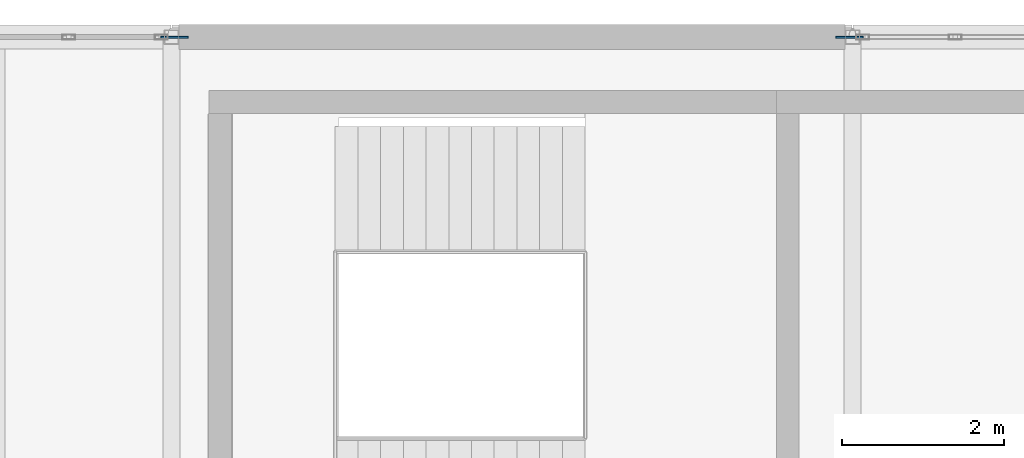
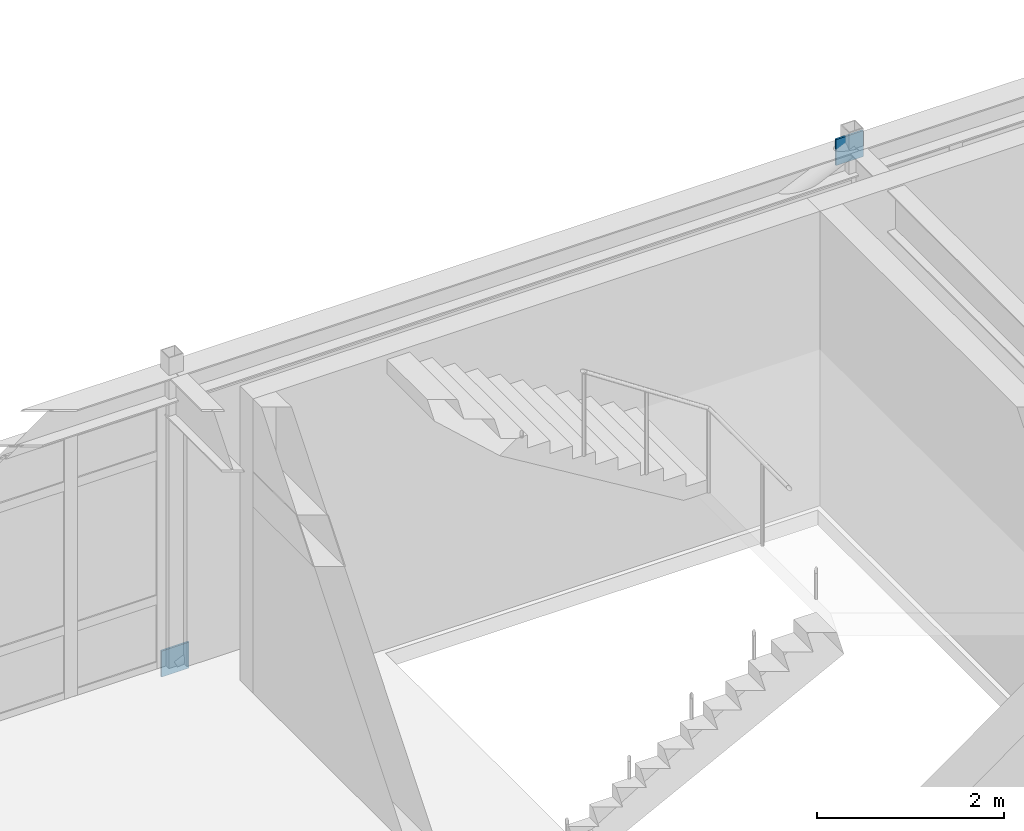
# One storey, part 58 of 65: 2 discrete accessories.
"""IFC4 building model written with IfcOpenShell, lengths in metres."""

from ifc_helpers import new_model, si_unit, direction, frame, origin, origin_2d, place, context, subcontext, project, spatial, rectangle, extrude, material, type_object, element, save


model = new_model("IFC4")

# Units and contexts
model_context = context("Model", 3, precision=1e-05, world=origin(), true_north=direction((0.0, 1.0)))
body_context = subcontext(model_context, "Body", "Model", "MODEL_VIEW")
ifc_project = project(units=[si_unit("LENGTHUNIT", "METRE"), si_unit("AREAUNIT", "SQUARE_METRE"), si_unit("VOLUMEUNIT", "CUBIC_METRE"), si_unit("PLANEANGLEUNIT", "RADIAN"), si_unit("MASSUNIT", "GRAM", prefix="KILO")], contexts=[model_context])

# Site, building, storey
site_placement = place(None, origin())
site = spatial("IfcSite", under=ifc_project, at=site_placement, CompositionType="ELEMENT")
building_placement = place(site_placement, origin())
building = spatial("IfcBuilding", under=site, at=building_placement, Name="Montecoro Central Library", CompositionType="ELEMENT")
storey_placement = place(building_placement, frame((0.0, 0.0, 17.340087890625)))
storey = spatial("IfcBuildingStorey", under=building, at=storey_placement, Name="L04", CompositionType="ELEMENT", Elevation=17.340087890625)

# Discrete accessories
ifc_material = material(Name="Steel S355", Category="steel")
discrete_accessory_type = type_object("IfcDiscreteAccessoryType", Name="GUSSET-PLT-01", PredefinedType="BRACKET", material=ifc_material)
for number, where, z_axis, x_axis, name in (
    (1, (74.8359375, 119.0, -0.14404296875), (0.0, 0.0, 1.0), (1.0, 0.0, 0.0), "V2-L04-BRN1-GPA"),
    (2, (83.1640625, 119.0, 3.61865234375), (0.0, 0.0, 1.0), (1.0, 0.0, 0.0), "V2-L04-BRN1-GPB"),
):
    element("IfcDiscreteAccessory", number, at=place(storey_placement, frame(where, z_axis=z_axis, x_axis=x_axis)), inside=storey, type_object=discrete_accessory_type, Name=name, PredefinedType="BRACKET", context=body_context, shape_type="SweptSolid", body=[
        extrude(rectangle(XDim=0.340087890625, YDim=0.02392578125, at=origin_2d()), origin(), (0.0, 0.0, 1.0), 0.340087890625),
    ])

save(model, "model.ifc")
